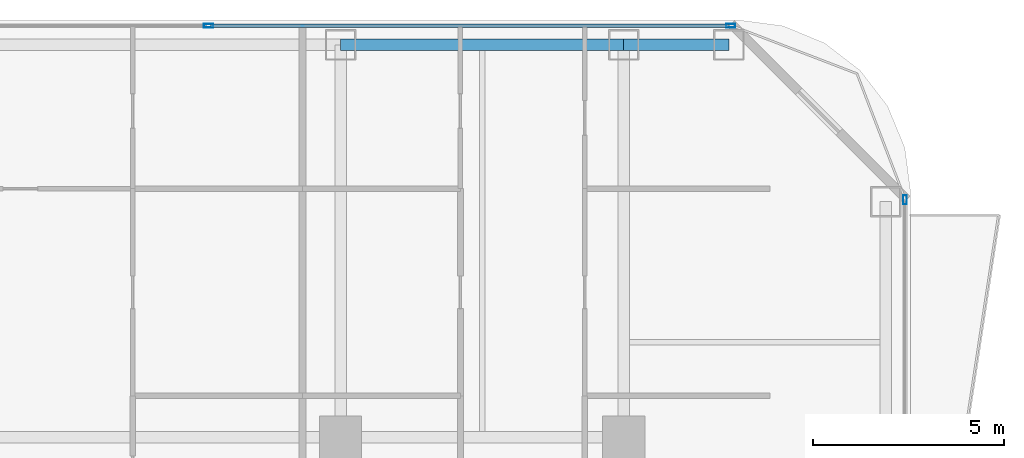
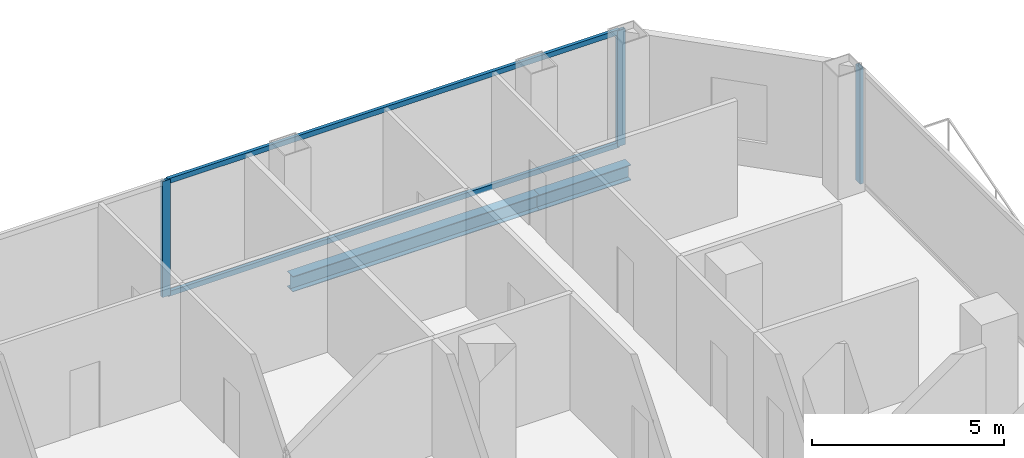
# One storey, part 17 of 28: 5 members, 2 beams, 2 elements without a shape of their own.
"""IFC4 building model written with IfcOpenShell, lengths in metres."""

from ifc_helpers import new_model, si_unit, direction, frame, origin, origin_2d, place, context, subcontext, project, spatial, hollow_rectangle, i_section, extrude, material, layer, layer_set, material_profile, profile_set, type_object, element, aggregate, save


model = new_model("IFC4")

# Units and contexts
model_context = context("Model", 3, precision=1e-05, world=origin(), true_north=direction((0.0, 1.0)))
body_context = subcontext(model_context, "Body", "Model", "MODEL_VIEW")
ifc_project = project(units=[si_unit("LENGTHUNIT", "METRE"), si_unit("AREAUNIT", "SQUARE_METRE"), si_unit("VOLUMEUNIT", "CUBIC_METRE"), si_unit("PLANEANGLEUNIT", "RADIAN"), si_unit("MASSUNIT", "GRAM", prefix="KILO")], contexts=[model_context])

# Site, building, storey
site_placement = place(None, origin())
site = spatial("IfcSite", under=ifc_project, at=site_placement, CompositionType="ELEMENT")
building_placement = place(site_placement, origin())
building = spatial("IfcBuilding", under=site, at=building_placement, Name="Khorvyn Point Tower", CompositionType="ELEMENT")
storey_placement = place(building_placement, frame((0.0, 0.0, 100.800048828125)))
storey = spatial("IfcBuildingStorey", under=building, at=storey_placement, Name="L25", CompositionType="ELEMENT", Elevation=100.800048828125)

# Curtain wall, members
ifc_material_1 = material(Name="Anodised aluminium 6063-T6 and laminated Low-E glass", Category="aluminium")
ifc_layer = layer(ifc_material_1, 0.18994140625)
ifc_layer_set = layer_set([ifc_layer], Name="Stick-Built Finned Residential Curtain Wall CW-SYS-02")
curtain_wall_type = type_object("IfcCurtainWallType", Name="Stick-Built Finned Residential Curtain Wall CW-SYS-02", PredefinedType="NOTDEFINED", material=ifc_layer_set)
curtain_wall_1_placement = place(storey_placement, origin())
curtain_wall_1 = element("IfcCurtainWall", 1, at=curtain_wall_1_placement, inside=storey, type_object=curtain_wall_type, Name="Curtain Wall", PredefinedType="NOTDEFINED")
ifc_material_2 = material(Name="Anodised aluminium 6063-T6", Category="aluminium")
ifc_material_profile_1 = material_profile(ifc_material_2, hollow_rectangle(XDim=0.10009765625, YDim=0.239990234375, WallThickness=0.0048828125, at=origin_2d()))
ifc_profile_set_1 = profile_set([ifc_material_profile_1], Name="Anodised aluminium 6063-T6 ALU-MUL-100x240")
member_type_1 = type_object("IfcMemberType", Name="Anodised Aluminium 6063-T6 Mullion ALU-MUL-100x240", PredefinedType="MULLION", material=ifc_profile_set_1)
member_1_placement = place(storey_placement, frame((3.949951171875, 30.85009765625, 0.0), z_axis=(0.0, 0.0, 1.0), x_axis=(0.0, 1.0, 0.0)))
member_1 = element("IfcMember", 2, at=member_1_placement, type_object=member_type_1, Name="Transom", PredefinedType="MULLION", context=body_context, shape_type="SweptSolid", body=[
    extrude(hollow_rectangle(XDim=0.10009765625, YDim=0.239990234375, WallThickness=0.0048828125, at=origin_2d()), origin(), (0.0, 0.0, 1.0), 3.679931640625),
])
member_2_placement = place(storey_placement, frame((17.60009765625, 30.85009765625, 0.0), z_axis=(0.0, 0.0, 1.0), x_axis=(0.0, 1.0, 0.0)))
member_2 = element("IfcMember", 3, at=member_2_placement, type_object=member_type_1, Name="Transom", PredefinedType="MULLION", context=body_context, shape_type="SweptSolid", body=[
    extrude(hollow_rectangle(XDim=0.10009765625, YDim=0.239990234375, WallThickness=0.0048828125, at=origin_2d()), origin(), (0.0, 0.0, 1.0), 3.679931640625),
])

# Curtain wall, member
curtain_wall_2_placement = place(storey_placement, origin())
curtain_wall_2 = element("IfcCurtainWall", 4, at=curtain_wall_2_placement, inside=storey, type_object=curtain_wall_type, Name="Curtain Wall", PredefinedType="NOTDEFINED")
member_3_placement = place(storey_placement, frame((22.14990234375, 26.300048828125, 0.0), z_axis=(0.0, 0.0, 1.0), x_axis=(1.0, 0.0, 0.0)))
member_3 = element("IfcMember", 5, at=member_3_placement, type_object=member_type_1, Name="Transom", PredefinedType="MULLION", context=body_context, shape_type="SweptSolid", body=[
    extrude(hollow_rectangle(XDim=0.10009765625, YDim=0.239990234375, WallThickness=0.0048828125, at=origin_2d()), origin(), (0.0, 0.0, 1.0), 3.679931640625),
])
aggregate(curtain_wall_2, [member_3])

# Member
ifc_material_profile_2 = material_profile(ifc_material_2, hollow_rectangle(XDim=0.10009765625, YDim=0.159912109375, WallThickness=0.00439453125, at=origin_2d()))
ifc_profile_set_2 = profile_set([ifc_material_profile_2], Name="Anodised aluminium 6063-T6 ALU-TRN-100x160")
member_type_2 = type_object("IfcMemberType", Name="Anodised Aluminium 6063-T6 Transom ALU-TRN-100x160", PredefinedType="USERDEFINED", material=ifc_profile_set_2)
member_4_placement = place(storey_placement, frame((4.0, 30.85009765625, 0.050048828125), z_axis=(1.0, 0.0, 0.0), x_axis=(0.0, 1.0, 0.0)))
member_4 = element("IfcMember", 6, at=member_4_placement, type_object=member_type_2, Name="Transom", ObjectType="TRANSOM", PredefinedType="USERDEFINED", context=body_context, shape_type="SweptSolid", body=[
    extrude(hollow_rectangle(XDim=0.10009765625, YDim=0.159912109375, WallThickness=0.00439453125, at=origin_2d()), origin(), (0.0, 0.0, 1.0), 13.550048828125),
])

member_5_placement = place(storey_placement, frame((4.0, 30.85009765625, 3.6298828125), z_axis=(1.0, 0.0, 0.0), x_axis=(0.0, 1.0, 0.0)))
member_5 = element("IfcMember", 7, at=member_5_placement, type_object=member_type_2, Name="Transom", ObjectType="TRANSOM", PredefinedType="USERDEFINED", context=body_context, shape_type="SweptSolid", body=[
    extrude(hollow_rectangle(XDim=0.10009765625, YDim=0.159912109375, WallThickness=0.00439453125, at=origin_2d()), origin(), (0.0, 0.0, 1.0), 13.550048828125),
])

aggregate(curtain_wall_1, [member_1, member_2, member_4, member_5])

# Beams
ifc_material_3 = material(Name="Steel S355", Category="steel")
ifc_material_profile_3 = material_profile(ifc_material_3, i_section(OverallWidth=0.300048828125, OverallDepth=0.488037109375, WebThickness=0.010986328125, FlangeThickness=0.01806640625, at=origin_2d()))
ifc_profile_set_3 = profile_set([ifc_material_profile_3], Name="Steel S355 H488x300x11x18")
beam_type = type_object("IfcBeamType", Name="Steel S355 Spandrel H488x300x11x18", PredefinedType="SPANDREL", material=ifc_profile_set_3)
beam_1_placement = place(storey_placement, frame((7.39990234375, 30.35009765625, -0.464111328125), z_axis=(1.0, 0.0, 0.0), x_axis=(0.0, 1.0, 0.0)))
element("IfcBeam", 8, at=beam_1_placement, inside=storey, type_object=beam_type, Name="Beam", PredefinedType="SPANDREL", context=body_context, shape_type="SweptSolid", body=[
    extrude(i_section(OverallWidth=0.300048828125, OverallDepth=0.488037109375, WebThickness=0.010986328125, FlangeThickness=0.01806640625, at=origin_2d()), origin(), (0.0, 0.0, 1.0), 7.400146484375),
])
beam_2_placement = place(storey_placement, frame((14.800048828125, 30.35009765625, -0.464111328125), z_axis=(1.0, 0.0, 0.0), x_axis=(0.0, 1.0, 0.0)))
element("IfcBeam", 9, at=beam_2_placement, inside=storey, type_object=beam_type, Name="Beam", PredefinedType="SPANDREL", context=body_context, shape_type="SweptSolid", body=[
    extrude(i_section(OverallWidth=0.300048828125, OverallDepth=0.488037109375, WebThickness=0.010986328125, FlangeThickness=0.01806640625, at=origin_2d()), origin(), (0.0, 0.0, 1.0), 2.75),
])

save(model, "model.ifc")
